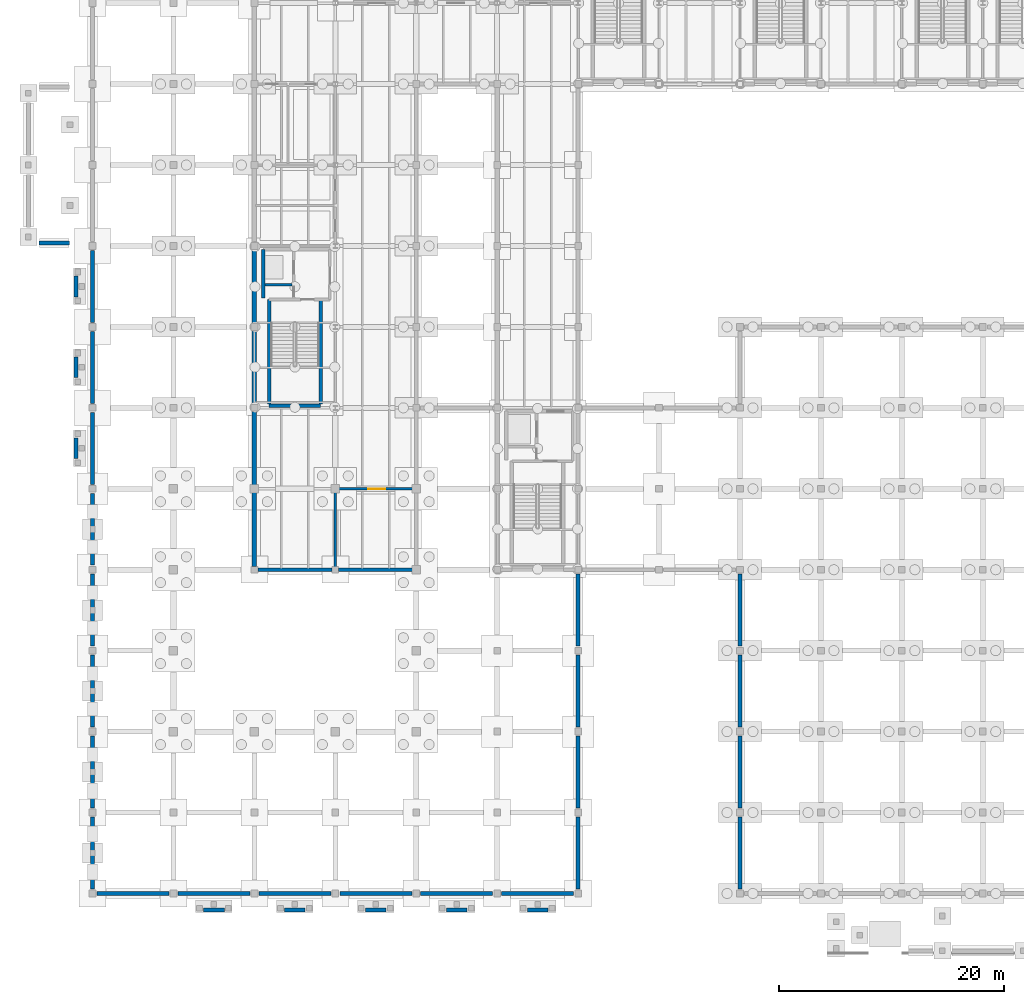
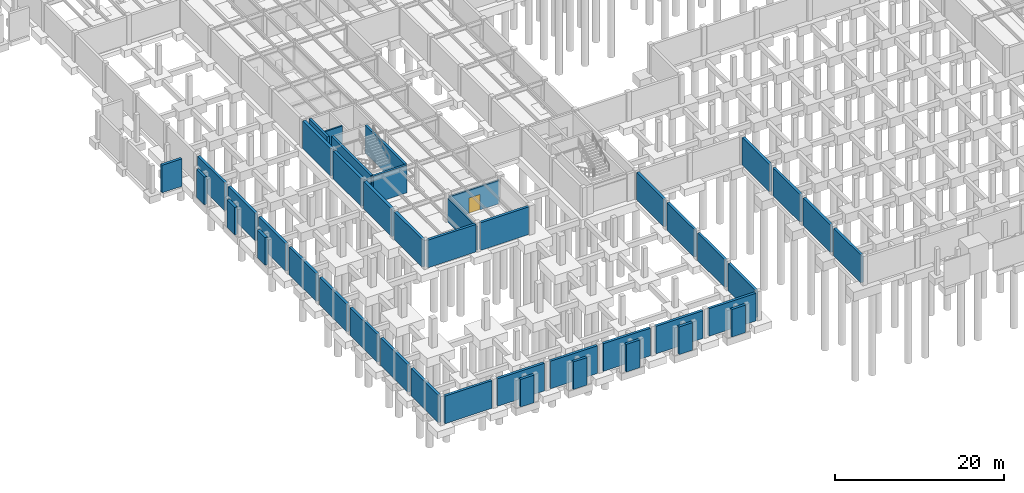
# One storey, part 30 of 46: 44 walls, 1 door, 1 opening.
"""IFC4 building model written with IfcOpenShell, lengths in metres."""

from ifc_helpers import new_model, si_unit, direction, frame, frame_2d, origin, place, context, subcontext, project, spatial, rectangle, extrude, material, layer, layer_set, type_object, element, fill, save


model = new_model("IFC4")

# Units and contexts
model_context = context("Model", 3, precision=1e-05, world=origin(), true_north=direction((0.0, 1.0)))
body_context = subcontext(model_context, "Body", "Model", "MODEL_VIEW")
ifc_project = project(units=[si_unit("LENGTHUNIT", "METRE"), si_unit("AREAUNIT", "SQUARE_METRE"), si_unit("VOLUMEUNIT", "CUBIC_METRE"), si_unit("PLANEANGLEUNIT", "RADIAN"), si_unit("MASSUNIT", "GRAM", prefix="KILO")], contexts=[model_context])

# Site, building, storey
site_placement = place(None, origin())
site = spatial("IfcSite", under=ifc_project, at=site_placement, CompositionType="ELEMENT")
building_placement = place(site_placement, origin())
building = spatial("IfcBuilding", under=site, at=building_placement, Name="Sillqori Civic Hall", CompositionType="ELEMENT")
storey_placement = place(building_placement, frame((0.0, 0.0, -4.199951171875)))
storey = spatial("IfcBuildingStorey", under=building, at=storey_placement, Name="B01", CompositionType="ELEMENT", Elevation=-4.199951171875)

# Walls
ifc_material_1 = material(Name="Concrete C35/45 (H35)", Category="concrete")
ifc_layer_1 = layer(ifc_material_1, 0.219970703125)
ifc_layer_set_1 = layer_set([ifc_layer_1], Name="Concrete C35/45 (H35)")
wall_type_1 = type_object("IfcWallType", Name="CW-SHR-220", PredefinedType="SHEAR", material=ifc_layer_set_1)
wall_1_placement = place(storey_placement, frame((22.550048828125, 61.35009765625, 0.0), z_axis=(0.0, 0.0, 1.0), x_axis=(1.0, 0.0, 0.0)))
element("IfcWall", 1, at=wall_1_placement, inside=storey, type_object=wall_type_1, Name="B01 C4 Lift-riser divider wall", PredefinedType="SHEAR", context=body_context, shape_type="SweptSolid", body=[
    extrude(rectangle(XDim=2.39990234375, YDim=0.219970703125, at=frame_2d((1.199951171875, 0.0))), origin(), (0.0, 0.0, 1.0), 3.97998046875),
])
ifc_layer_2 = layer(ifc_material_1, 0.300048828125)
ifc_layer_set_2 = layer_set([ifc_layer_2], Name="Concrete C35/45 (H35)")
wall_type_2 = type_object("IfcWallType", Name="CW-SHR-300", PredefinedType="SHEAR", material=ifc_layer_set_2)
wall_2_placement = place(storey_placement, frame((22.909912109375, 50.60009765625, 0.0), z_axis=(0.0, 0.0, 1.0), x_axis=(1.0, 0.0, 0.0)))
element("IfcWall", 2, at=wall_2_placement, inside=storey, type_object=wall_type_2, Name="B01 C4 Stair south shear wall", PredefinedType="SHEAR", context=body_context, shape_type="SweptSolid", body=[
    extrude(rectangle(XDim=4.580078125, YDim=0.300048828125, at=frame_2d((2.2900390625, 0.0))), origin(), (0.0, 0.0, 1.0), 3.97998046875),
])
for number, where, z_axis, x_axis, name in (
    (3, (22.909912109375, 50.75, 0.0), (0.0, 0.0, 1.0), (0.0, 1.0, 0.0), "B01 C4 Stair west shear wall"),
    (4, (27.489990234375, 50.75, 0.0), (0.0, 0.0, 1.0), (0.0, 1.0, 0.0), "B01 C4 Stair east shear wall"),
):
    element("IfcWall", number, at=place(storey_placement, frame(where, z_axis=z_axis, x_axis=x_axis)), inside=storey, type_object=wall_type_2, Name=name, PredefinedType="SHEAR", context=body_context, shape_type="SweptSolid", body=[
        extrude(rectangle(XDim=9.300048828125, YDim=0.300048828125, at=frame_2d((4.64990234375, 0.0))), origin(), (0.0, 0.0, 1.0), 3.97998046875),
    ])
wall_3_placement = place(storey_placement, frame((22.39990234375, 60.179931640625, 0.0), z_axis=(0.0, 0.0, 1.0), x_axis=(0.0, 1.0, 0.0)))
element("IfcWall", 5, at=wall_3_placement, inside=storey, type_object=wall_type_2, Name="B01 C4 Lift shaft west shear wall", PredefinedType="SHEAR", context=body_context, shape_type="SweptSolid", body=[
    extrude(rectangle(XDim=4.320068359375, YDim=0.300048828125, at=frame_2d((2.16015625, 0.0))), origin(), (0.0, 0.0, 1.0), 3.97998046875),
])

# Wall, opening, door
ifc_material_2 = material(Name="Concrete C25/30 (H25)", Category="concrete")
ifc_layer_3 = layer(ifc_material_2, 0.25)
ifc_layer_set_3 = layer_set([ifc_layer_3], Name="Concrete C25/30 (H25)")
wall_type_3 = type_object("IfcWallType", Name="PT-PLT-250", PredefinedType="PARTITIONING", material=ifc_layer_set_3)
wall_4_placement = place(storey_placement, frame((29.080078125, 43.199951171875, 0.0), z_axis=(0.0, 0.0, 1.0), x_axis=(1.0, 0.0, 0.0)))
wall_4 = element("IfcWall", 6, at=wall_4_placement, inside=storey, type_object=wall_type_3, Name="Main Medium-Voltage Transformer Room partition N1", PredefinedType="PARTITIONING", context=body_context, shape_type="SweptSolid", body=[
    extrude(rectangle(XDim=6.7998046875, YDim=0.25, at=frame_2d((3.39990234375, 0.0))), origin(), (0.0, 0.0, 1.0), 3.367919921875),
])
opening_placement = place(wall_4_placement, frame((2.64990234375, 0.0, 0.0)))
opening = element("IfcOpeningElement", 7, at=opening_placement, cuts=wall_4, Name="Opening FD-07", PredefinedType="OPENING", context=body_context, shape_type="SweptSolid", body=[
    extrude(rectangle(XDim=1.5, YDim=2.25, at=frame_2d((0.75, 1.125))), frame((0.0, 0.135009765625, 0.0), z_axis=(0.0, -1.0, 0.0), x_axis=(1.0, 0.0, 0.0)), (0.0, 0.0, 1.0), 0.27001953125),
])
ifc_material_3 = material(Name="Double-Leaf Plant Room Fire Door", Category="steel")
door_type = type_object("IfcDoorType", Name="FDR-PLT-150X225", OperationType="NOTDEFINED", PredefinedType="DOOR", material=ifc_material_3)
door_placement = place(opening_placement, origin())
door = element("IfcDoor", 8, at=door_placement, inside=storey, type_object=door_type, Name="Main Medium-Voltage Transformer Room entrance door", OperationType="DOUBLE_DOOR_SINGLE_SWING", OverallHeight=2.25, OverallWidth=1.5, PredefinedType="DOOR", context=body_context, shape_type="SweptSolid", body=[
    extrude(rectangle(XDim=1.5, YDim=2.25, at=frame_2d((0.75, 1.125))), frame((0.0, 0.02490234375, 0.0), z_axis=(0.0, -1.0, 0.0), x_axis=(1.0, 0.0, 0.0)), (0.0, 0.0, 1.0), 0.050048828125),
])
fill(opening, door)

# Walls
wall_5_placement = place(storey_placement, frame((28.800048828125, 36.1201171875, 0.0), z_axis=(0.0, 0.0, 1.0), x_axis=(0.0, 1.0, 0.0)))
element("IfcWall", 9, at=wall_5_placement, inside=storey, type_object=wall_type_3, Name="Main Medium-Voltage Transformer Room partition W2", PredefinedType="PARTITIONING", context=body_context, shape_type="SweptSolid", body=[
    extrude(rectangle(XDim=6.7998046875, YDim=0.25, at=frame_2d((3.39990234375, 0.0))), origin(), (0.0, 0.0, 1.0), 3.367919921875),
])
ifc_layer_4 = layer(ifc_material_1, 0.35009765625)
ifc_layer_set_4 = layer_set([ifc_layer_4], Name="Concrete C35/45 (H35)")
wall_type_4 = type_object("IfcWallType", Name="RW-H35-350", PredefinedType="USERDEFINED", material=ifc_layer_set_4)
wall_6_placement = place(storey_placement, frame((21.89990234375, 36.0, 0.0), z_axis=(0.0, 0.0, 1.0), x_axis=(1.0, 0.0, 0.0)))
element("IfcWall", 10, at=wall_6_placement, inside=storey, type_object=wall_type_4, Name="Basement retaining wall S 3-5", ObjectType="RETAININGWALL", PredefinedType="USERDEFINED", context=body_context, shape_type="SweptSolid", body=[
    extrude(rectangle(XDim=6.60009765625, YDim=0.35009765625, at=frame_2d((3.300048828125, 0.0))), origin(), (0.0, 0.0, 1.0), 3.97998046875),
])
wall_7_placement = place(storey_placement, frame((29.10009765625, 36.0, 0.0), z_axis=(0.0, 0.0, 1.0), x_axis=(1.0, 0.0, 0.0)))
element("IfcWall", 11, at=wall_7_placement, inside=storey, type_object=wall_type_4, Name="Basement retaining wall S 4-5", ObjectType="RETAININGWALL", PredefinedType="USERDEFINED", context=body_context, shape_type="SweptSolid", body=[
    extrude(rectangle(XDim=6.599853515625, YDim=0.35009765625, at=frame_2d((3.2998046875, 0.0))), origin(), (0.0, 0.0, 1.0), 3.97998046875),
])
for number, where, z_axis, x_axis, name in (
    (12, (7.60009765625, 7.199951171875, 0.0), (0.0, 0.0, 1.0), (1.0, 0.0, 0.0), "Podium plinth retaining wall S 1-1"),
    (13, (7.199951171875, 7.60009765625, 0.0), (0.0, 0.0, 1.0), (0.0, 1.0, 0.0), "Podium plinth retaining wall W 1-1"),
    (14, (7.199951171875, 14.800048828125, 0.0), (0.0, 0.0, 1.0), (0.0, 1.0, 0.0), "Podium plinth retaining wall W 1-2"),
    (15, (7.199951171875, 22.0, 0.0), (0.0, 0.0, 1.0), (0.0, 1.0, 0.0), "Podium plinth retaining wall W 1-3"),
):
    element("IfcWall", number, at=place(storey_placement, frame(where, z_axis=z_axis, x_axis=x_axis)), inside=storey, type_object=wall_type_4, Name=name, ObjectType="RETAININGWALL", PredefinedType="USERDEFINED", context=body_context, shape_type="SweptSolid", body=[
        extrude(rectangle(XDim=6.39990234375, YDim=0.35009765625, at=frame_2d((3.199951171875, 0.0))), origin(), (0.0, 0.0, 1.0), 3.97998046875),
    ])
for number, where, z_axis, x_axis, name in (
    (16, (7.199951171875, 29.199951171875, 0.0), (0.0, 0.0, 1.0), (0.0, 1.0, 0.0), "Podium plinth retaining wall W 1-4"),
    (17, (7.199951171875, 36.39990234375, 0.0), (0.0, 0.0, 1.0), (0.0, 1.0, 0.0), "Podium plinth retaining wall W 1-5"),
):
    element("IfcWall", number, at=place(storey_placement, frame(where, z_axis=z_axis, x_axis=x_axis)), inside=storey, type_object=wall_type_4, Name=name, ObjectType="RETAININGWALL", PredefinedType="USERDEFINED", context=body_context, shape_type="SweptSolid", body=[
        extrude(rectangle(XDim=6.400146484375, YDim=0.35009765625, at=frame_2d((3.2001953125, 0.0))), origin(), (0.0, 0.0, 1.0), 3.97998046875),
    ])
for number, where, z_axis, x_axis, name in (
    (18, (7.199951171875, 43.60009765625, 0.0), (0.0, 0.0, 1.0), (0.0, 1.0, 0.0), "Podium plinth retaining wall W 1-6"),
    (19, (7.199951171875, 50.800048828125, 0.0), (0.0, 0.0, 1.0), (0.0, 1.0, 0.0), "Podium plinth retaining wall W 1-7"),
    (20, (7.199951171875, 58.0, 0.0), (0.0, 0.0, 1.0), (0.0, 1.0, 0.0), "Podium plinth retaining wall W 1-8"),
    (21, (14.800048828125, 7.199951171875, 0.0), (0.0, 0.0, 1.0), (1.0, 0.0, 0.0), "Podium plinth retaining wall S 2-1"),
    (22, (22.0, 7.199951171875, 0.0), (0.0, 0.0, 1.0), (1.0, 0.0, 0.0), "Podium plinth retaining wall S 3-1"),
):
    element("IfcWall", number, at=place(storey_placement, frame(where, z_axis=z_axis, x_axis=x_axis)), inside=storey, type_object=wall_type_4, Name=name, ObjectType="RETAININGWALL", PredefinedType="USERDEFINED", context=body_context, shape_type="SweptSolid", body=[
        extrude(rectangle(XDim=6.39990234375, YDim=0.35009765625, at=frame_2d((3.199951171875, 0.0))), origin(), (0.0, 0.0, 1.0), 3.97998046875),
    ])
for number, where, z_axis, x_axis, name in (
    (23, (29.199951171875, 7.199951171875, 0.0), (0.0, 0.0, 1.0), (1.0, 0.0, 0.0), "Podium plinth retaining wall S 4-1"),
    (24, (36.39990234375, 7.199951171875, 0.0), (0.0, 0.0, 1.0), (1.0, 0.0, 0.0), "Podium plinth retaining wall S 5-1"),
):
    element("IfcWall", number, at=place(storey_placement, frame(where, z_axis=z_axis, x_axis=x_axis)), inside=storey, type_object=wall_type_4, Name=name, ObjectType="RETAININGWALL", PredefinedType="USERDEFINED", context=body_context, shape_type="SweptSolid", body=[
        extrude(rectangle(XDim=6.400146484375, YDim=0.35009765625, at=frame_2d((3.2001953125, 0.0))), origin(), (0.0, 0.0, 1.0), 3.97998046875),
    ])
for number, where, z_axis, x_axis, name in (
    (25, (43.60009765625, 7.199951171875, 0.0), (0.0, 0.0, 1.0), (1.0, 0.0, 0.0), "Podium plinth retaining wall S 6-1"),
    (26, (50.39990234375, 7.60009765625, 0.0), (0.0, 0.0, 1.0), (0.0, 1.0, 0.0), "Podium plinth retaining wall E 6-1"),
    (27, (50.39990234375, 14.800048828125, 0.0), (0.0, 0.0, 1.0), (0.0, 1.0, 0.0), "Podium plinth retaining wall E 6-2"),
    (28, (50.39990234375, 22.0, 0.0), (0.0, 0.0, 1.0), (0.0, 1.0, 0.0), "Podium plinth retaining wall E 6-3"),
):
    element("IfcWall", number, at=place(storey_placement, frame(where, z_axis=z_axis, x_axis=x_axis)), inside=storey, type_object=wall_type_4, Name=name, ObjectType="RETAININGWALL", PredefinedType="USERDEFINED", context=body_context, shape_type="SweptSolid", body=[
        extrude(rectangle(XDim=6.39990234375, YDim=0.35009765625, at=frame_2d((3.199951171875, 0.0))), origin(), (0.0, 0.0, 1.0), 3.97998046875),
    ])
wall_8_placement = place(storey_placement, frame((50.39990234375, 29.199951171875, 0.0), z_axis=(0.0, 0.0, 1.0), x_axis=(0.0, 1.0, 0.0)))
element("IfcWall", 29, at=wall_8_placement, inside=storey, type_object=wall_type_4, Name="Podium plinth retaining wall E 6-4", ObjectType="RETAININGWALL", PredefinedType="USERDEFINED", context=body_context, shape_type="SweptSolid", body=[
    extrude(rectangle(XDim=6.400146484375, YDim=0.35009765625, at=frame_2d((3.2001953125, 0.0))), origin(), (0.0, 0.0, 1.0), 3.97998046875),
])
for number, where, z_axis, x_axis, name in (
    (30, (64.800048828125, 7.60009765625, 0.0), (0.0, 0.0, 1.0), (0.0, 1.0, 0.0), "Podium plinth retaining wall W 9-1"),
    (31, (64.800048828125, 14.800048828125, 0.0), (0.0, 0.0, 1.0), (0.0, 1.0, 0.0), "Podium plinth retaining wall W 9-2"),
    (32, (64.800048828125, 22.0, 0.0), (0.0, 0.0, 1.0), (0.0, 1.0, 0.0), "Podium plinth retaining wall W 9-3"),
):
    element("IfcWall", number, at=place(storey_placement, frame(where, z_axis=z_axis, x_axis=x_axis)), inside=storey, type_object=wall_type_4, Name=name, ObjectType="RETAININGWALL", PredefinedType="USERDEFINED", context=body_context, shape_type="SweptSolid", body=[
        extrude(rectangle(XDim=6.39990234375, YDim=0.35009765625, at=frame_2d((3.199951171875, 0.0))), origin(), (0.0, 0.0, 1.0), 3.97998046875),
    ])
wall_9_placement = place(storey_placement, frame((64.800048828125, 29.199951171875, 0.0), z_axis=(0.0, 0.0, 1.0), x_axis=(0.0, 1.0, 0.0)))
element("IfcWall", 33, at=wall_9_placement, inside=storey, type_object=wall_type_4, Name="Podium plinth retaining wall W 9-4", ObjectType="RETAININGWALL", PredefinedType="USERDEFINED", context=body_context, shape_type="SweptSolid", body=[
    extrude(rectangle(XDim=6.400146484375, YDim=0.35009765625, at=frame_2d((3.2001953125, 0.0))), origin(), (0.0, 0.0, 1.0), 3.97998046875),
])
wall_10_placement = place(storey_placement, frame((2.449951171875, 65.050048828125, 0.0), z_axis=(0.0, 0.0, 1.0), x_axis=(1.0, 0.0, 0.0)))
element("IfcWall", 34, at=wall_10_placement, inside=storey, type_object=wall_type_4, Name="Truck loading dock grade apron plinth retaining wall S", ObjectType="RETAININGWALL", PredefinedType="USERDEFINED", context=body_context, shape_type="SweptSolid", body=[
    extrude(rectangle(XDim=2.699951171875, YDim=0.35009765625, at=frame_2d((1.35009765625, 0.0))), origin(), (0.0, 0.0, 1.0), 3.97998046875),
])
wall_11_placement = place(storey_placement, frame((5.719970703125, 45.8798828125, 0.0), z_axis=(0.0, 0.0, 1.0), x_axis=(0.0, 1.0, 0.0)))
element("IfcWall", 35, at=wall_11_placement, inside=storey, type_object=wall_type_4, Name="Council West Avenue Exit plinth retaining wall", ObjectType="RETAININGWALL", PredefinedType="USERDEFINED", context=body_context, shape_type="SweptSolid", body=[
    extrude(rectangle(XDim=1.840087890625, YDim=0.35009765625, at=frame_2d((0.919921875, 0.0))), origin(), (0.0, 0.0, 1.0), 3.97998046875),
])
wall_12_placement = place(storey_placement, frame((5.719970703125, 53.080078125, 0.0), z_axis=(0.0, 0.0, 1.0), x_axis=(0.0, 1.0, 0.0)))
element("IfcWall", 36, at=wall_12_placement, inside=storey, type_object=wall_type_4, Name="West Directorate Service Exit plinth retaining wall", ObjectType="RETAININGWALL", PredefinedType="USERDEFINED", context=body_context, shape_type="SweptSolid", body=[
    extrude(rectangle(XDim=1.83984375, YDim=0.35009765625, at=frame_2d((0.919921875, 0.0))), origin(), (0.0, 0.0, 1.0), 3.97998046875),
])
wall_13_placement = place(storey_placement, frame((5.719970703125, 60.280029296875, 0.0), z_axis=(0.0, 0.0, 1.0), x_axis=(0.0, 1.0, 0.0)))
element("IfcWall", 37, at=wall_13_placement, inside=storey, type_object=wall_type_4, Name="Committee Wing West Street Portal plinth retaining wall", ObjectType="RETAININGWALL", PredefinedType="USERDEFINED", context=body_context, shape_type="SweptSolid", body=[
    extrude(rectangle(XDim=1.840087890625, YDim=0.35009765625, at=frame_2d((0.919921875, 0.0))), origin(), (0.0, 0.0, 1.0), 3.97998046875),
])
wall_14_placement = place(storey_placement, frame((17.080078125, 5.719970703125, 0.0), z_axis=(0.0, 0.0, 1.0), x_axis=(1.0, 0.0, 0.0)))
element("IfcWall", 38, at=wall_14_placement, inside=storey, type_object=wall_type_4, Name="Council Chamber West Street Portal plinth retaining wall", ObjectType="RETAININGWALL", PredefinedType="USERDEFINED", context=body_context, shape_type="SweptSolid", body=[
    extrude(rectangle(XDim=1.83984375, YDim=0.35009765625, at=frame_2d((0.919921875, 0.0))), origin(), (0.0, 0.0, 1.0), 3.97998046875),
])
for number, where, z_axis, x_axis, name in (
    (39, (24.280029296875, 5.719970703125, 0.0), (0.0, 0.0, 1.0), (1.0, 0.0, 0.0), "Council Chamber Ceremonial Entrance plinth retaining wall"),
    (40, (31.47998046875, 5.719970703125, 0.0), (0.0, 0.0, 1.0), (1.0, 0.0, 0.0), "Council Chamber East Street Portal plinth retaining wall"),
    (41, (38.679931640625, 5.719970703125, 0.0), (0.0, 0.0, 1.0), (1.0, 0.0, 0.0), "Council Foyer South Exit plinth retaining wall"),
    (42, (45.8798828125, 5.719970703125, 0.0), (0.0, 0.0, 1.0), (1.0, 0.0, 0.0), "Council Foyer Promenade Portal plinth retaining wall"),
):
    element("IfcWall", number, at=place(storey_placement, frame(where, z_axis=z_axis, x_axis=x_axis)), inside=storey, type_object=wall_type_4, Name=name, ObjectType="RETAININGWALL", PredefinedType="USERDEFINED", context=body_context, shape_type="SweptSolid", body=[
        extrude(rectangle(XDim=1.840087890625, YDim=0.35009765625, at=frame_2d((0.919921875, 0.0))), origin(), (0.0, 0.0, 1.0), 3.97998046875),
    ])
ifc_layer_5 = layer(ifc_material_1, 0.39990234375)
ifc_layer_set_5 = layer_set([ifc_layer_5], Name="Concrete C35/45 (H35)")
wall_type_5 = type_object("IfcWallType", Name="RW-H35-400", PredefinedType="USERDEFINED", material=ifc_layer_set_5)
wall_15_placement = place(storey_placement, frame((21.60009765625, 36.300048828125, 0.0), z_axis=(0.0, 0.0, 1.0), x_axis=(0.0, 1.0, 0.0)))
element("IfcWall", 43, at=wall_15_placement, inside=storey, type_object=wall_type_5, Name="Basement retaining wall W 3-5", ObjectType="RETAININGWALL", PredefinedType="USERDEFINED", context=body_context, shape_type="SweptSolid", body=[
    extrude(rectangle(XDim=6.599853515625, YDim=0.39990234375, at=frame_2d((3.2998046875, 0.0))), origin(), (0.0, 0.0, 1.0), 3.97998046875),
])
for number, where, z_axis, x_axis, name in (
    (44, (21.60009765625, 43.5, 0.0), (0.0, 0.0, 1.0), (0.0, 1.0, 0.0), "Basement retaining wall W 3-6"),
    (45, (21.60009765625, 50.699951171875, 0.0), (0.0, 0.0, 1.0), (0.0, 1.0, 0.0), "Basement retaining wall W 3-7"),
    (46, (21.60009765625, 57.89990234375, 0.0), (0.0, 0.0, 1.0), (0.0, 1.0, 0.0), "Basement retaining wall W 3-8"),
):
    element("IfcWall", number, at=place(storey_placement, frame(where, z_axis=z_axis, x_axis=x_axis)), inside=storey, type_object=wall_type_5, Name=name, ObjectType="RETAININGWALL", PredefinedType="USERDEFINED", context=body_context, shape_type="SweptSolid", body=[
        extrude(rectangle(XDim=6.60009765625, YDim=0.39990234375, at=frame_2d((3.300048828125, 0.0))), origin(), (0.0, 0.0, 1.0), 3.97998046875),
    ])

save(model, "model.ifc")
